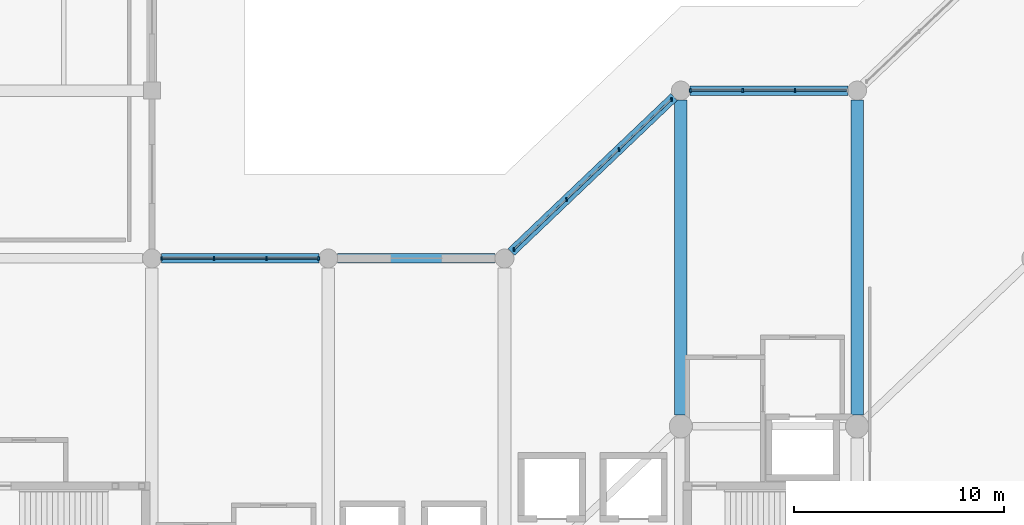
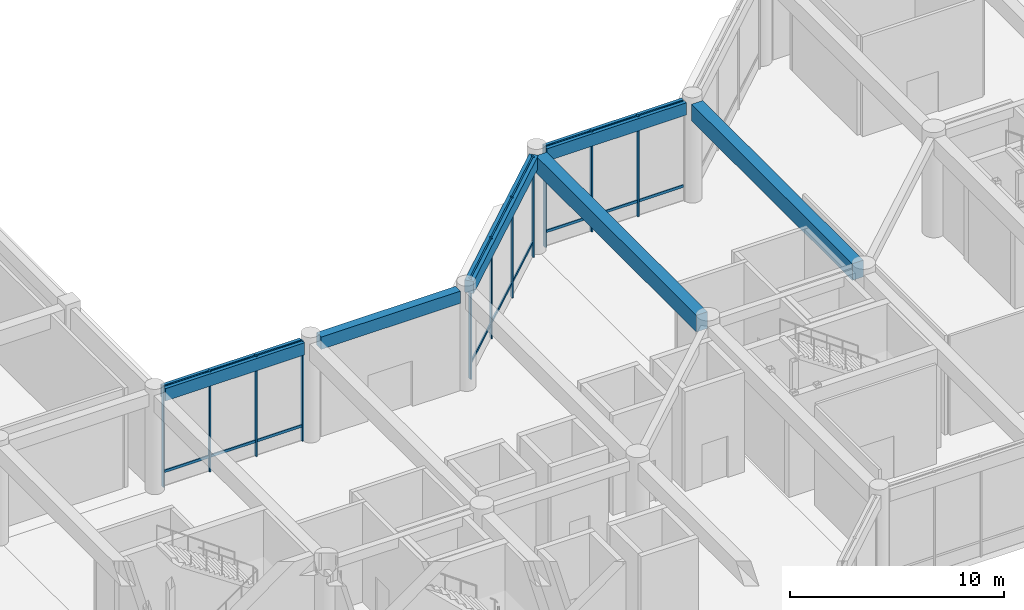
# One storey, part 41 of 76: 29 members, 6 beams, 3 elements without a shape of their own.
"""IFC4 building model written with IfcOpenShell, lengths in metres."""

from ifc_helpers import new_model, si_unit, direction, frame, origin, origin_2d, place, context, subcontext, project, spatial, rectangle, extrude, material, layer, layer_set, material_profile, profile_set, type_object, element, aggregate, save


model = new_model("IFC4")

# Units and contexts
model_context = context("Model", 3, precision=1e-05, world=origin(), true_north=direction((0.0, 1.0)))
body_context = subcontext(model_context, "Body", "Model", "MODEL_VIEW")
ifc_project = project(units=[si_unit("LENGTHUNIT", "METRE"), si_unit("AREAUNIT", "SQUARE_METRE"), si_unit("VOLUMEUNIT", "CUBIC_METRE"), si_unit("PLANEANGLEUNIT", "RADIAN"), si_unit("MASSUNIT", "GRAM", prefix="KILO")], contexts=[model_context])

# Site, building, storey
site_placement = place(None, origin())
site = spatial("IfcSite", under=ifc_project, at=site_placement, CompositionType="ELEMENT")
building_placement = place(site_placement, origin())
building = spatial("IfcBuilding", under=site, at=building_placement, Name="Naruveol Harbour Congress Hotel", CompositionType="ELEMENT")
storey_placement = place(building_placement, origin())
storey = spatial("IfcBuildingStorey", under=building, at=storey_placement, Name="L00", CompositionType="ELEMENT", Elevation=0.0)

# Beams
ifc_material_1 = material(Name="Concrete C40/50", Category="concrete")
ifc_material_profile_1 = material_profile(ifc_material_1, rectangle(XDim=0.60009765625, YDim=0.949951171875, at=origin_2d()), Name="RCB-600x950")
ifc_profile_set_1 = profile_set([ifc_material_profile_1], Name="Concrete C40/50")
beam_type_1 = type_object("IfcBeamType", Name="RC LONG SPAN GIRDER 600X950", PredefinedType="BEAM", material=ifc_profile_set_1)
for number, where, z_axis, x_axis, name in (
    (1, (151.199951171875, 24.5458984375, 5.22509765625), (0.0, 1.0, 0.0), (-1.0, 0.0, 0.0), "Hotel pilotis girder L01 CB1"),
    (2, (159.60009765625, 24.5458984375, 5.22509765625), (0.0, 1.0, 0.0), (-1.0, 0.0, 0.0), "Hotel pilotis girder L01 CB1"),
):
    element("IfcBeam", number, at=place(storey_placement, frame(where, z_axis=z_axis, x_axis=x_axis)), inside=storey, type_object=beam_type_1, Name=name, PredefinedType="BEAM", context=body_context, shape_type="SweptSolid", body=[
        extrude(rectangle(XDim=0.60009765625, YDim=0.949951171875, at=origin_2d()), origin(), (0.0, 0.0, 1.0), 15.008056640625),
    ])
ifc_material_2 = material(Name="Concrete C40/50", Category="concrete")
ifc_material_profile_2 = material_profile(ifc_material_2, rectangle(XDim=0.449951171875, YDim=0.699951171875, at=origin_2d()), Name="RCB-450x700")
ifc_profile_set_2 = profile_set([ifc_material_profile_2], Name="Concrete C40/50")
beam_type_2 = type_object("IfcBeamType", Name="RC SPANDREL BEAM 450X700", PredefinedType="SPANDREL", material=ifc_profile_set_2)
for number, where, z_axis, x_axis, name in (
    (3, (126.446044921875, 32.0, 5.35009765625), (1.0, 0.0, 0.0), (0.0, 1.0, 0.0), "Hotel chord beam L01 SPB1"),
    (4, (134.845947265625, 32.0, 5.35009765625), (1.0, 0.0, 0.0), (0.0, 1.0, 0.0), "Hotel chord beam L01 SPB1"),
):
    element("IfcBeam", number, at=place(storey_placement, frame(where, z_axis=z_axis, x_axis=x_axis)), inside=storey, type_object=beam_type_2, Name=name, PredefinedType="SPANDREL", context=body_context, shape_type="SweptSolid", body=[
        extrude(rectangle(XDim=0.449951171875, YDim=0.699951171875, at=origin_2d()), origin(), (0.0, 0.0, 1.0), 7.508056640625),
    ])
beam_1_placement = place(storey_placement, frame((143.123046875, 32.3076171875, 5.35009765625), z_axis=(0.724133593293, 0.689659727013, 0.0), x_axis=(-0.689659727013, 0.724133593293, 0.0)))
element("IfcBeam", 5, at=beam_1_placement, inside=storey, type_object=beam_type_2, Name="Hotel chord beam L01 SPB1", PredefinedType="SPANDREL", context=body_context, shape_type="SweptSolid", body=[
    extrude(rectangle(XDim=0.449951171875, YDim=0.699951171875, at=origin_2d()), origin(), (0.0, 0.0, 1.0), 10.707763671875),
])
beam_2_placement = place(storey_placement, frame((151.64599609375, 40.0, 5.35009765625), z_axis=(1.0, 0.0, 0.0), x_axis=(0.0, 1.0, 0.0)))
element("IfcBeam", 6, at=beam_2_placement, inside=storey, type_object=beam_type_2, Name="Hotel chord beam L01 SPB1", PredefinedType="SPANDREL", context=body_context, shape_type="SweptSolid", body=[
    extrude(rectangle(XDim=0.449951171875, YDim=0.699951171875, at=origin_2d()), origin(), (0.0, 0.0, 1.0), 7.508056640625),
])

# Curtain wall, members
ifc_material_3 = material(Name="Low-E Curtain Wall System", Category="glass")
ifc_layer_1 = layer(ifc_material_3, 0.179931640625)
ifc_layer_set_1 = layer_set([ifc_layer_1], Name="Low-E Curtain Wall System")
curtain_wall_type_1 = type_object("IfcCurtainWallType", Name="UNITISED CURTAIN WALL CW-V5N-47 7500X5720", PredefinedType="USERDEFINED", material=ifc_layer_set_1)
curtain_wall_1_placement = place(storey_placement, origin())
curtain_wall_1 = element("IfcCurtainWall", 7, at=curtain_wall_1_placement, inside=storey, type_object=curtain_wall_type_1, Name="Unitised curtain wall CW-V5N-47 L00", ObjectType="UNITISED GLAZING", PredefinedType="USERDEFINED")
ifc_material_4 = material(Name="Anodised Aluminium 6063-T6", Category="aluminium")
ifc_material_profile_3 = material_profile(ifc_material_4, rectangle(XDim=0.074951171875, YDim=0.179931640625, at=origin_2d()), Name="ALU-75x180")
ifc_profile_set_3 = profile_set([ifc_material_profile_3], Name="Anodised Aluminium 6063-T6")
member_type_1 = type_object("IfcMemberType", Name="THERMAL ALUMINIUM MULLION 75X180", PredefinedType="MULLION", material=ifc_profile_set_3)
member_1_placement = place(storey_placement, frame((126.449951171875, 32.0, 0.0), z_axis=(0.0, 0.0, 1.0), x_axis=(1.0, 0.0, 0.0)))
member_1 = element("IfcMember", 8, at=member_1_placement, type_object=member_type_1, Name="Curtain wall mullion CW-L00-0127-M0", PredefinedType="MULLION", context=body_context, shape_type="SweptSolid", body=[
    extrude(rectangle(XDim=0.074951171875, YDim=0.179931640625, at=origin_2d()), origin(), (0.0, 0.0, 1.0), 5.719970703125),
])
member_2_placement = place(storey_placement, frame((128.949951171875, 32.0, 0.0), z_axis=(0.0, 0.0, 1.0), x_axis=(1.0, 0.0, 0.0)))
member_2 = element("IfcMember", 9, at=member_2_placement, type_object=member_type_1, Name="Curtain wall mullion CW-L00-0127-M1", PredefinedType="MULLION", context=body_context, shape_type="SweptSolid", body=[
    extrude(rectangle(XDim=0.074951171875, YDim=0.179931640625, at=origin_2d()), origin(), (0.0, 0.0, 1.0), 5.719970703125),
])
member_3_placement = place(storey_placement, frame((131.449951171875, 32.0, 0.0), z_axis=(0.0, 0.0, 1.0), x_axis=(1.0, 0.0, 0.0)))
member_3 = element("IfcMember", 10, at=member_3_placement, type_object=member_type_1, Name="Curtain wall mullion CW-L00-0127-M2", PredefinedType="MULLION", context=body_context, shape_type="SweptSolid", body=[
    extrude(rectangle(XDim=0.074951171875, YDim=0.179931640625, at=origin_2d()), origin(), (0.0, 0.0, 1.0), 5.719970703125),
])
member_4_placement = place(storey_placement, frame((133.949951171875, 32.0, 0.0), z_axis=(0.0, 0.0, 1.0), x_axis=(1.0, 0.0, 0.0)))
member_4 = element("IfcMember", 11, at=member_4_placement, type_object=member_type_1, Name="Curtain wall mullion CW-L00-0127-M3", PredefinedType="MULLION", context=body_context, shape_type="SweptSolid", body=[
    extrude(rectangle(XDim=0.074951171875, YDim=0.179931640625, at=origin_2d()), origin(), (0.0, 0.0, 1.0), 5.719970703125),
])

ifc_material_5 = material(Name="Low-E Curtain Wall System", Category="glass")
ifc_layer_2 = layer(ifc_material_5, 0.179931640625)
ifc_layer_set_2 = layer_set([ifc_layer_2], Name="Low-E Curtain Wall System")
curtain_wall_type_2 = type_object("IfcCurtainWallType", Name="UNITISED CURTAIN WALL CW-V5N-49 10357X5720", PredefinedType="USERDEFINED", material=ifc_layer_set_2)
curtain_wall_2_placement = place(storey_placement, origin())
curtain_wall_2 = element("IfcCurtainWall", 12, at=curtain_wall_2_placement, inside=storey, type_object=curtain_wall_type_2, Name="Unitised curtain wall CW-V5N-49 L00", ObjectType="UNITISED GLAZING", PredefinedType="USERDEFINED")
member_5_placement = place(storey_placement, frame((143.25, 32.428955078125, 0.0), z_axis=(0.0, 0.0, 1.0), x_axis=(1.0, 0.0, 0.0)))
member_5 = element("IfcMember", 13, at=member_5_placement, type_object=member_type_1, Name="Curtain wall mullion CW-L00-0129-M0", PredefinedType="MULLION", context=body_context, shape_type="SweptSolid", body=[
    extrude(rectangle(XDim=0.074951171875, YDim=0.179931640625, at=origin_2d()), origin(), (0.0, 0.0, 1.0), 5.719970703125),
])
member_6_placement = place(storey_placement, frame((145.75, 34.809814453125, 0.0), z_axis=(0.0, 0.0, 1.0), x_axis=(1.0, 0.0, 0.0)))
member_6 = element("IfcMember", 14, at=member_6_placement, type_object=member_type_1, Name="Curtain wall mullion CW-L00-0129-M1", PredefinedType="MULLION", context=body_context, shape_type="SweptSolid", body=[
    extrude(rectangle(XDim=0.074951171875, YDim=0.179931640625, at=origin_2d()), origin(), (0.0, 0.0, 1.0), 5.719970703125),
])
member_7_placement = place(storey_placement, frame((148.25, 37.190185546875, 0.0), z_axis=(0.0, 0.0, 1.0), x_axis=(1.0, 0.0, 0.0)))
member_7 = element("IfcMember", 15, at=member_7_placement, type_object=member_type_1, Name="Curtain wall mullion CW-L00-0129-M2", PredefinedType="MULLION", context=body_context, shape_type="SweptSolid", body=[
    extrude(rectangle(XDim=0.074951171875, YDim=0.179931640625, at=origin_2d()), origin(), (0.0, 0.0, 1.0), 5.719970703125),
])
member_8_placement = place(storey_placement, frame((150.75, 39.571044921875, 0.0), z_axis=(0.0, 0.0, 1.0), x_axis=(1.0, 0.0, 0.0)))
member_8 = element("IfcMember", 16, at=member_8_placement, type_object=member_type_1, Name="Curtain wall mullion CW-L00-0129-M3", PredefinedType="MULLION", context=body_context, shape_type="SweptSolid", body=[
    extrude(rectangle(XDim=0.074951171875, YDim=0.179931640625, at=origin_2d()), origin(), (0.0, 0.0, 1.0), 5.719970703125),
])

curtain_wall_3_placement = place(storey_placement, origin())
curtain_wall_3 = element("IfcCurtainWall", 17, at=curtain_wall_3_placement, inside=storey, type_object=curtain_wall_type_1, Name="Unitised curtain wall CW-V5N-47 L00", ObjectType="UNITISED GLAZING", PredefinedType="USERDEFINED")
member_9_placement = place(storey_placement, frame((151.64990234375, 40.0, 0.0), z_axis=(0.0, 0.0, 1.0), x_axis=(1.0, 0.0, 0.0)))
member_9 = element("IfcMember", 18, at=member_9_placement, type_object=member_type_1, Name="Curtain wall mullion CW-L00-0131-M0", PredefinedType="MULLION", context=body_context, shape_type="SweptSolid", body=[
    extrude(rectangle(XDim=0.074951171875, YDim=0.179931640625, at=origin_2d()), origin(), (0.0, 0.0, 1.0), 5.719970703125),
])
member_10_placement = place(storey_placement, frame((154.14990234375, 40.0, 0.0), z_axis=(0.0, 0.0, 1.0), x_axis=(1.0, 0.0, 0.0)))
member_10 = element("IfcMember", 19, at=member_10_placement, type_object=member_type_1, Name="Curtain wall mullion CW-L00-0131-M1", PredefinedType="MULLION", context=body_context, shape_type="SweptSolid", body=[
    extrude(rectangle(XDim=0.074951171875, YDim=0.179931640625, at=origin_2d()), origin(), (0.0, 0.0, 1.0), 5.719970703125),
])
member_11_placement = place(storey_placement, frame((156.64990234375, 40.0, 0.0), z_axis=(0.0, 0.0, 1.0), x_axis=(1.0, 0.0, 0.0)))
member_11 = element("IfcMember", 20, at=member_11_placement, type_object=member_type_1, Name="Curtain wall mullion CW-L00-0131-M2", PredefinedType="MULLION", context=body_context, shape_type="SweptSolid", body=[
    extrude(rectangle(XDim=0.074951171875, YDim=0.179931640625, at=origin_2d()), origin(), (0.0, 0.0, 1.0), 5.719970703125),
])

# Member
ifc_material_6 = material(Name="Anodised Aluminium 6063-T6", Category="aluminium")
ifc_material_profile_4 = material_profile(ifc_material_6, rectangle(XDim=0.074951171875, YDim=0.14990234375, at=origin_2d()), Name="ALU-75x150")
ifc_profile_set_4 = profile_set([ifc_material_profile_4], Name="Anodised Aluminium 6063-T6")
member_type_2 = type_object("IfcMemberType", Name="THERMAL ALUMINIUM TRANSOM 75X150", PredefinedType="USERDEFINED", material=ifc_profile_set_4)
member_12_placement = place(storey_placement, frame((126.489990234375, 32.0, 0.85009765625), z_axis=(1.0, 0.0, 0.0), x_axis=(0.0, 1.0, 0.0)))
member_12 = element("IfcMember", 21, at=member_12_placement, type_object=member_type_2, Name="Curtain wall transom CW-L00-0127-T0.1", ObjectType="TRANSOM", PredefinedType="USERDEFINED", context=body_context, shape_type="SweptSolid", body=[
    extrude(rectangle(XDim=0.074951171875, YDim=0.14990234375, at=origin_2d()), origin(), (0.0, 0.0, 1.0), 2.419921875),
])

member_13_placement = place(storey_placement, frame((126.489990234375, 32.0, 5.639892578125), z_axis=(1.0, 0.0, 0.0), x_axis=(0.0, 1.0, 0.0)))
member_13 = element("IfcMember", 22, at=member_13_placement, type_object=member_type_2, Name="Curtain wall transom CW-L00-0127-T0.2", ObjectType="TRANSOM", PredefinedType="USERDEFINED", context=body_context, shape_type="SweptSolid", body=[
    extrude(rectangle(XDim=0.074951171875, YDim=0.14990234375, at=origin_2d()), origin(), (0.0, 0.0, 1.0), 2.419921875),
])

member_14_placement = place(storey_placement, frame((128.989990234375, 32.0, 0.85009765625), z_axis=(1.0, 0.0, 0.0), x_axis=(0.0, 1.0, 0.0)))
member_14 = element("IfcMember", 23, at=member_14_placement, type_object=member_type_2, Name="Curtain wall transom CW-L00-0127-T1.1", ObjectType="TRANSOM", PredefinedType="USERDEFINED", context=body_context, shape_type="SweptSolid", body=[
    extrude(rectangle(XDim=0.074951171875, YDim=0.14990234375, at=origin_2d()), origin(), (0.0, 0.0, 1.0), 2.419921875),
])

member_15_placement = place(storey_placement, frame((128.989990234375, 32.0, 5.639892578125), z_axis=(1.0, 0.0, 0.0), x_axis=(0.0, 1.0, 0.0)))
member_15 = element("IfcMember", 24, at=member_15_placement, type_object=member_type_2, Name="Curtain wall transom CW-L00-0127-T1.2", ObjectType="TRANSOM", PredefinedType="USERDEFINED", context=body_context, shape_type="SweptSolid", body=[
    extrude(rectangle(XDim=0.074951171875, YDim=0.14990234375, at=origin_2d()), origin(), (0.0, 0.0, 1.0), 2.419921875),
])

member_16_placement = place(storey_placement, frame((131.489990234375, 32.0, 0.85009765625), z_axis=(1.0, 0.0, 0.0), x_axis=(0.0, 1.0, 0.0)))
member_16 = element("IfcMember", 25, at=member_16_placement, type_object=member_type_2, Name="Curtain wall transom CW-L00-0127-T2.1", ObjectType="TRANSOM", PredefinedType="USERDEFINED", context=body_context, shape_type="SweptSolid", body=[
    extrude(rectangle(XDim=0.074951171875, YDim=0.14990234375, at=origin_2d()), origin(), (0.0, 0.0, 1.0), 2.419921875),
])

member_17_placement = place(storey_placement, frame((131.489990234375, 32.0, 5.639892578125), z_axis=(1.0, 0.0, 0.0), x_axis=(0.0, 1.0, 0.0)))
member_17 = element("IfcMember", 26, at=member_17_placement, type_object=member_type_2, Name="Curtain wall transom CW-L00-0127-T2.2", ObjectType="TRANSOM", PredefinedType="USERDEFINED", context=body_context, shape_type="SweptSolid", body=[
    extrude(rectangle(XDim=0.074951171875, YDim=0.14990234375, at=origin_2d()), origin(), (0.0, 0.0, 1.0), 2.419921875),
])

aggregate(curtain_wall_1, [member_1, member_2, member_3, member_4, member_12, member_13, member_14, member_15, member_16, member_17])

member_18_placement = place(storey_placement, frame((143.279052734375, 32.45654296875, 0.85009765625), z_axis=(0.7241637576, 0.689628053503, 0.0), x_axis=(-0.689628053503, 0.7241637576, 0.0)))
member_18 = element("IfcMember", 27, at=member_18_placement, type_object=member_type_2, Name="Curtain wall transom CW-L00-0129-T0.1", ObjectType="TRANSOM", PredefinedType="USERDEFINED", context=body_context, shape_type="SweptSolid", body=[
    extrude(rectangle(XDim=0.074951171875, YDim=0.14990234375, at=origin_2d()), origin(), (0.0, 0.0, 1.0), 3.3720703125),
])

member_19_placement = place(storey_placement, frame((143.279052734375, 32.45654296875, 5.639892578125), z_axis=(0.7241637576, 0.689628053503, 0.0), x_axis=(-0.689628053503, 0.7241637576, 0.0)))
member_19 = element("IfcMember", 28, at=member_19_placement, type_object=member_type_2, Name="Curtain wall transom CW-L00-0129-T0.2", ObjectType="TRANSOM", PredefinedType="USERDEFINED", context=body_context, shape_type="SweptSolid", body=[
    extrude(rectangle(XDim=0.074951171875, YDim=0.14990234375, at=origin_2d()), origin(), (0.0, 0.0, 1.0), 3.3720703125),
])

member_20_placement = place(storey_placement, frame((145.779052734375, 34.837158203125, 0.85009765625), z_axis=(0.72412760064, 0.689666019166, 0.0), x_axis=(-0.689666019166, 0.72412760064, 0.0)))
member_20 = element("IfcMember", 29, at=member_20_placement, type_object=member_type_2, Name="Curtain wall transom CW-L00-0129-T1.1", ObjectType="TRANSOM", PredefinedType="USERDEFINED", context=body_context, shape_type="SweptSolid", body=[
    extrude(rectangle(XDim=0.074951171875, YDim=0.14990234375, at=origin_2d()), origin(), (0.0, 0.0, 1.0), 3.3720703125),
])

member_21_placement = place(storey_placement, frame((145.779052734375, 34.837158203125, 5.639892578125), z_axis=(0.72412760064, 0.689666019166, 0.0), x_axis=(-0.689666019166, 0.72412760064, 0.0)))
member_21 = element("IfcMember", 30, at=member_21_placement, type_object=member_type_2, Name="Curtain wall transom CW-L00-0129-T1.2", ObjectType="TRANSOM", PredefinedType="USERDEFINED", context=body_context, shape_type="SweptSolid", body=[
    extrude(rectangle(XDim=0.074951171875, YDim=0.14990234375, at=origin_2d()), origin(), (0.0, 0.0, 1.0), 3.3720703125),
])

member_22_placement = place(storey_placement, frame((148.279052734375, 37.218017578125, 0.85009765625), z_axis=(0.7241637576, 0.689628053503, 0.0), x_axis=(-0.689628053503, 0.7241637576, 0.0)))
member_22 = element("IfcMember", 31, at=member_22_placement, type_object=member_type_2, Name="Curtain wall transom CW-L00-0129-T2.1", ObjectType="TRANSOM", PredefinedType="USERDEFINED", context=body_context, shape_type="SweptSolid", body=[
    extrude(rectangle(XDim=0.074951171875, YDim=0.14990234375, at=origin_2d()), origin(), (0.0, 0.0, 1.0), 3.3720703125),
])

member_23_placement = place(storey_placement, frame((148.279052734375, 37.218017578125, 5.639892578125), z_axis=(0.7241637576, 0.689628053503, 0.0), x_axis=(-0.689628053503, 0.7241637576, 0.0)))
member_23 = element("IfcMember", 32, at=member_23_placement, type_object=member_type_2, Name="Curtain wall transom CW-L00-0129-T2.2", ObjectType="TRANSOM", PredefinedType="USERDEFINED", context=body_context, shape_type="SweptSolid", body=[
    extrude(rectangle(XDim=0.074951171875, YDim=0.14990234375, at=origin_2d()), origin(), (0.0, 0.0, 1.0), 3.3720703125),
])

aggregate(curtain_wall_2, [member_5, member_6, member_7, member_8, member_18, member_19, member_20, member_21, member_22, member_23])

member_24_placement = place(storey_placement, frame((151.68994140625, 40.0, 0.85009765625), z_axis=(1.0, 0.0, 0.0), x_axis=(0.0, 1.0, 0.0)))
member_24 = element("IfcMember", 33, at=member_24_placement, type_object=member_type_2, Name="Curtain wall transom CW-L00-0131-T0.1", ObjectType="TRANSOM", PredefinedType="USERDEFINED", context=body_context, shape_type="SweptSolid", body=[
    extrude(rectangle(XDim=0.074951171875, YDim=0.14990234375, at=origin_2d()), origin(), (0.0, 0.0, 1.0), 2.420166015625),
])

member_25_placement = place(storey_placement, frame((151.68994140625, 40.0, 5.639892578125), z_axis=(1.0, 0.0, 0.0), x_axis=(0.0, 1.0, 0.0)))
member_25 = element("IfcMember", 34, at=member_25_placement, type_object=member_type_2, Name="Curtain wall transom CW-L00-0131-T0.2", ObjectType="TRANSOM", PredefinedType="USERDEFINED", context=body_context, shape_type="SweptSolid", body=[
    extrude(rectangle(XDim=0.074951171875, YDim=0.14990234375, at=origin_2d()), origin(), (0.0, 0.0, 1.0), 2.420166015625),
])

member_26_placement = place(storey_placement, frame((154.18994140625, 40.0, 0.85009765625), z_axis=(1.0, 0.0, 0.0), x_axis=(0.0, 1.0, 0.0)))
member_26 = element("IfcMember", 35, at=member_26_placement, type_object=member_type_2, Name="Curtain wall transom CW-L00-0131-T1.1", ObjectType="TRANSOM", PredefinedType="USERDEFINED", context=body_context, shape_type="SweptSolid", body=[
    extrude(rectangle(XDim=0.074951171875, YDim=0.14990234375, at=origin_2d()), origin(), (0.0, 0.0, 1.0), 2.420166015625),
])

member_27_placement = place(storey_placement, frame((154.18994140625, 40.0, 5.639892578125), z_axis=(1.0, 0.0, 0.0), x_axis=(0.0, 1.0, 0.0)))
member_27 = element("IfcMember", 36, at=member_27_placement, type_object=member_type_2, Name="Curtain wall transom CW-L00-0131-T1.2", ObjectType="TRANSOM", PredefinedType="USERDEFINED", context=body_context, shape_type="SweptSolid", body=[
    extrude(rectangle(XDim=0.074951171875, YDim=0.14990234375, at=origin_2d()), origin(), (0.0, 0.0, 1.0), 2.420166015625),
])

member_28_placement = place(storey_placement, frame((156.68994140625, 40.0, 0.85009765625), z_axis=(1.0, 0.0, 0.0), x_axis=(0.0, 1.0, 0.0)))
member_28 = element("IfcMember", 37, at=member_28_placement, type_object=member_type_2, Name="Curtain wall transom CW-L00-0131-T2.1", ObjectType="TRANSOM", PredefinedType="USERDEFINED", context=body_context, shape_type="SweptSolid", body=[
    extrude(rectangle(XDim=0.074951171875, YDim=0.14990234375, at=origin_2d()), origin(), (0.0, 0.0, 1.0), 2.420166015625),
])

member_29_placement = place(storey_placement, frame((156.68994140625, 40.0, 5.639892578125), z_axis=(1.0, 0.0, 0.0), x_axis=(0.0, 1.0, 0.0)))
member_29 = element("IfcMember", 38, at=member_29_placement, type_object=member_type_2, Name="Curtain wall transom CW-L00-0131-T2.2", ObjectType="TRANSOM", PredefinedType="USERDEFINED", context=body_context, shape_type="SweptSolid", body=[
    extrude(rectangle(XDim=0.074951171875, YDim=0.14990234375, at=origin_2d()), origin(), (0.0, 0.0, 1.0), 2.420166015625),
])

aggregate(curtain_wall_3, [member_9, member_10, member_11, member_24, member_25, member_26, member_27, member_28, member_29])

save(model, "model.ifc")
